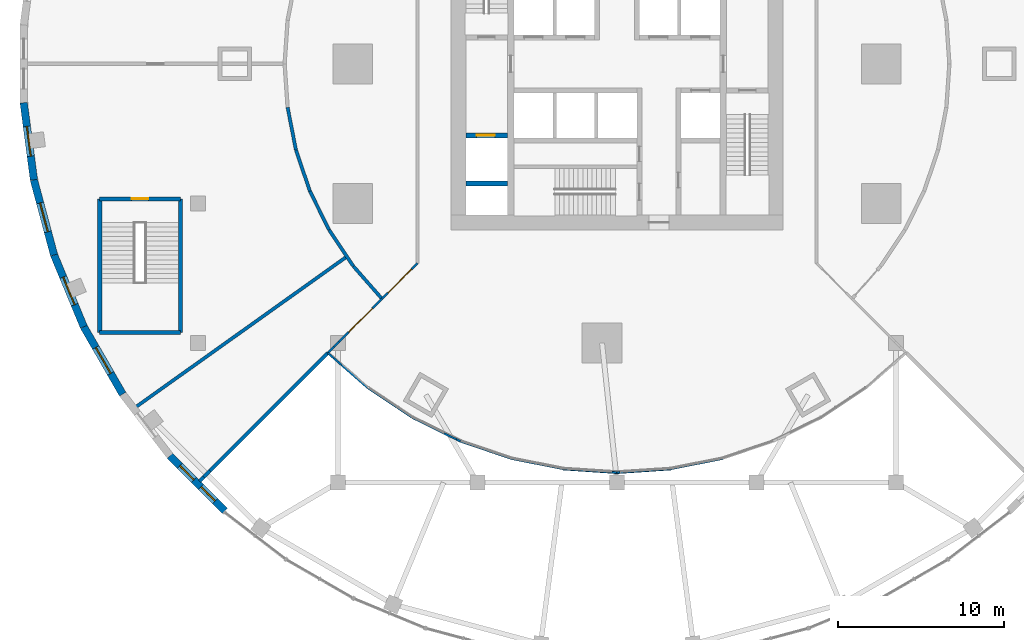
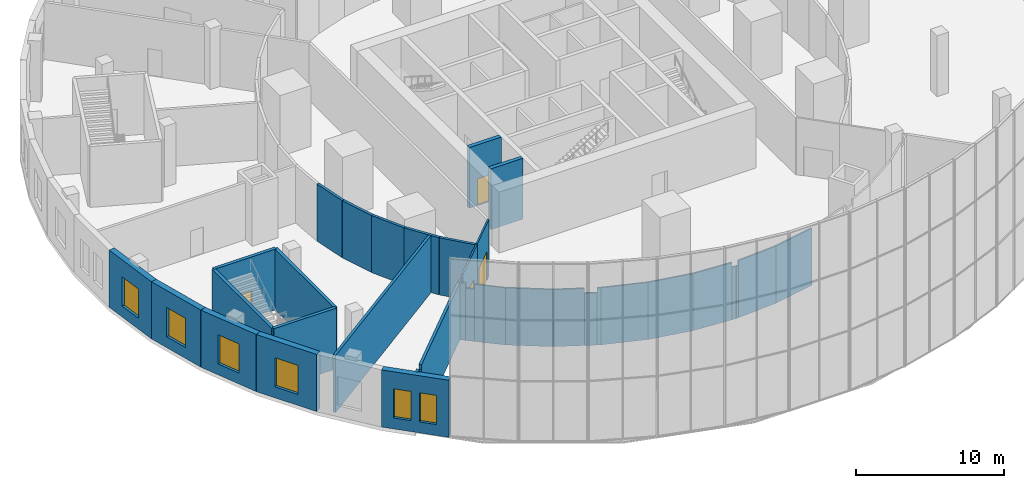
# One storey, part 7 of 17: 38 walls, 6 windows, 4 doors, 10 openings.
"""IFC4 building model written with IfcOpenShell, lengths in metres."""

from ifc_helpers import new_model, si_unit, direction, frame, frame_2d, origin, place, context, subcontext, project, spatial, rectangle, extrude, material, layer, layer_set, type_object, element, fill, save


model = new_model("IFC4")

# Units and contexts
model_context = context("Model", 3, precision=1e-05, world=origin(), true_north=direction((0.0, 1.0)))
body_context = subcontext(model_context, "Body", "Model", "MODEL_VIEW")
ifc_project = project(units=[si_unit("LENGTHUNIT", "METRE"), si_unit("AREAUNIT", "SQUARE_METRE"), si_unit("VOLUMEUNIT", "CUBIC_METRE"), si_unit("PLANEANGLEUNIT", "RADIAN"), si_unit("MASSUNIT", "GRAM", prefix="KILO")], contexts=[model_context])

# Site, building, storey
site_placement = place(None, origin())
site = spatial("IfcSite", under=ifc_project, at=site_placement, CompositionType="ELEMENT")
building_placement = place(site_placement, origin())
building = spatial("IfcBuilding", under=site, at=building_placement, Name="Golbaran Civic Tower", CompositionType="ELEMENT")
storey_placement = place(building_placement, frame((0.0, 0.0, 6.0)))
storey = spatial("IfcBuildingStorey", under=building, at=storey_placement, Name="L01", CompositionType="ELEMENT", Elevation=6.0)

# Walls
ifc_material_1 = material(Name="Glazed screen on steel framing", Category="steel")
ifc_layer_1 = layer(ifc_material_1, 0.1201171875, Name="Glazed screen on steel framing")
ifc_layer_set_1 = layer_set([ifc_layer_1], Name="Glazed screen on steel framing")
wall_type_1 = type_object("IfcWallType", Name="GLAZED SCREEN PARTITION 120", PredefinedType="PARTITIONING", material=ifc_layer_set_1)
wall_1_placement = place(storey_placement, frame((-16.570068359375, -18.127197265625, 0.0), z_axis=(0.0, 0.0, 1.0), x_axis=(0.752226011438, -0.658905173538, 0.0)))
element("IfcWall", 1, at=wall_1_placement, inside=storey, type_object=wall_type_1, Name="Podium partition L01", PredefinedType="PARTITIONING", context=body_context, shape_type="SweptSolid", body=[
    extrude(rectangle(XDim=2.11376953125, YDim=0.1201171875, at=frame_2d((1.056884765625, 0.0))), origin(), (0.0, 0.0, 1.0), 4.699951171875),
])
wall_2_placement = place(storey_placement, frame((-17.030029296875, -17.72412109375, 0.0), z_axis=(0.0, 0.0, 1.0), x_axis=(0.752081905539, -0.65906965289, 0.0)))
element("IfcWall", 2, at=wall_2_placement, inside=storey, type_object=wall_type_1, Name="Podium partition L01 under the beam over", PredefinedType="PARTITIONING", context=body_context, shape_type="SweptSolid", body=[
    extrude(rectangle(XDim=0.611572265625, YDim=0.1201171875, at=frame_2d((0.3056640625, 0.0))), origin(), (0.0, 0.0, 1.0), 4.300048828125),
])
wall_3_placement = place(storey_placement, frame((-17.39990234375, -17.39990234375, 0.0), z_axis=(0.0, 0.0, 1.0), x_axis=(0.751992181934, -0.659172024824, 0.0)))
element("IfcWall", 3, at=wall_3_placement, inside=storey, type_object=wall_type_1, Name="Podium partition L01 under the beam over", PredefinedType="PARTITIONING", context=body_context, shape_type="SweptSolid", body=[
    extrude(rectangle(XDim=0.491943359375, YDim=0.1201171875, at=frame_2d((0.24609375, 0.0))), origin(), (0.0, 0.0, 1.0), 4.699951171875),
])

# Wall, opening, door
wall_4_placement = place(storey_placement, frame((-16.719970703125, -16.719970703125, 0.0), z_axis=(0.0, 0.0, 1.0), x_axis=(0.707106781187, 0.707106781187, 0.0)))
wall_4 = element("IfcWall", 4, at=wall_4_placement, inside=storey, type_object=wall_type_1, Name="Podium partition L01", PredefinedType="PARTITIONING", context=body_context, shape_type="SweptSolid", body=[
    extrude(rectangle(XDim=3.648681640625, YDim=0.1201171875, at=frame_2d((1.82421875, 0.0))), origin(), (0.0, 0.0, 1.0), 4.699951171875),
])
opening_1_placement = place(wall_4_placement, frame((0.82421875, 0.0, 0.0)))
opening_1 = element("IfcOpeningElement", 5, at=opening_1_placement, cuts=wall_4, Name="Opening L01.03", PredefinedType="OPENING", context=body_context, shape_type="SweptSolid", body=[
    extrude(rectangle(XDim=2.0, YDim=2.39990234375, at=frame_2d((1.0, 1.199951171875))), frame((0.0, 0.070068359375, 0.0), z_axis=(0.0, -1.0, 0.0), x_axis=(1.0, 0.0, 0.0)), (0.0, 0.0, 1.0), 0.14013671875),
])
ifc_material_2 = material(Name="Timber door set in steel frame", Category="steel")
door_type_1 = type_object("IfcDoorType", Name="PUBLIC DOUBLE DOOR 2000x2400", OperationType="DOUBLE_DOOR_SINGLE_SWING", PredefinedType="DOOR", material=ifc_material_2)
door_1_placement = place(opening_1_placement, origin())
door_1 = element("IfcDoor", 6, at=door_1_placement, inside=storey, type_object=door_type_1, Name="Committee Clerks' Office 2 door", OperationType="DOUBLE_DOOR_SINGLE_SWING", OverallHeight=2.39990234375, OverallWidth=2.0, PredefinedType="DOOR", context=body_context, shape_type="SweptSolid", body=[
    extrude(rectangle(XDim=2.0, YDim=2.39990234375, at=frame_2d((1.0, 1.199951171875))), frame((0.0, 0.02490234375, 0.0), z_axis=(0.0, -1.0, 0.0), x_axis=(1.0, 0.0, 0.0)), (0.0, 0.0, 1.0), 0.050048828125),
])
fill(opening_1, door_1)

# Walls
wall_5_placement = place(storey_placement, frame((-17.39990234375, -17.39990234375, 0.0), z_axis=(0.0, 0.0, 1.0), x_axis=(0.707106781187, 0.707106781187, 0.0)))
element("IfcWall", 7, at=wall_5_placement, inside=storey, type_object=wall_type_1, Name="Podium partition L01 under the beam over", PredefinedType="PARTITIONING", context=body_context, shape_type="SweptSolid", body=[
    extrude(rectangle(XDim=0.523193359375, YDim=0.1201171875, at=frame_2d((0.26171875, 0.0))), origin(), (0.0, 0.0, 1.0), 4.699951171875),
])
wall_6_placement = place(storey_placement, frame((-17.030029296875, -17.030029296875, 0.0), z_axis=(0.0, 0.0, 1.0), x_axis=(0.707106781187, 0.707106781187, 0.0)))
element("IfcWall", 8, at=wall_6_placement, inside=storey, type_object=wall_type_1, Name="Podium partition L01 under the beam over", PredefinedType="PARTITIONING", context=body_context, shape_type="SweptSolid", body=[
    extrude(rectangle(XDim=0.4384765625, YDim=0.1201171875, at=frame_2d((0.21923828125, 0.0))), origin(), (0.0, 0.0, 1.0), 4.300048828125),
])
wall_7_placement = place(storey_placement, frame((-14.97998046875, -19.52001953125, 0.0), z_axis=(0.0, 0.0, 1.0), x_axis=(0.832994734858, -0.553280915719, 0.0)))
element("IfcWall", 9, at=wall_7_placement, inside=storey, type_object=wall_type_1, Name="Podium partition L01", PredefinedType="PARTITIONING", context=body_context, shape_type="SweptSolid", body=[
    extrude(rectangle(XDim=3.21728515625, YDim=0.1201171875, at=frame_2d((1.608642578125, 0.0))), origin(), (0.0, 0.0, 1.0), 4.699951171875),
])

# Wall, opening, door
wall_8_placement = place(storey_placement, frame((-14.139892578125, -14.139892578125, 0.0), z_axis=(0.0, 0.0, 1.0), x_axis=(0.707106781187, 0.707106781187, 0.0)))
wall_8 = element("IfcWall", 10, at=wall_8_placement, inside=storey, type_object=wall_type_1, Name="Podium partition L01", PredefinedType="PARTITIONING", context=body_context, shape_type="SweptSolid", body=[
    extrude(rectangle(XDim=3.0263671875, YDim=0.1201171875, at=frame_2d((1.51318359375, 0.0))), origin(), (0.0, 0.0, 1.0), 4.699951171875),
])
opening_2_placement = place(wall_8_placement, frame((0.51318359375, 0.0, 0.0)))
opening_2 = element("IfcOpeningElement", 11, at=opening_2_placement, cuts=wall_8, Name="Opening L01.04", PredefinedType="OPENING", context=body_context, shape_type="SweptSolid", body=[
    extrude(rectangle(XDim=2.0, YDim=2.39990234375, at=frame_2d((1.0, 1.199951171875))), frame((0.0, 0.070068359375, 0.0), z_axis=(0.0, -1.0, 0.0), x_axis=(1.0, 0.0, 0.0)), (0.0, 0.0, 1.0), 0.14013671875),
])
door_2_placement = place(opening_2_placement, origin())
door_2 = element("IfcDoor", 12, at=door_2_placement, inside=storey, type_object=door_type_1, Name="Committee Secretariat Office door", OperationType="DOUBLE_DOOR_SINGLE_SWING", OverallHeight=2.39990234375, OverallWidth=2.0, PredefinedType="DOOR", context=body_context, shape_type="SweptSolid", body=[
    extrude(rectangle(XDim=2.0, YDim=2.39990234375, at=frame_2d((1.0, 1.199951171875))), frame((0.0, 0.02490234375, 0.0), z_axis=(0.0, -1.0, 0.0), x_axis=(1.0, 0.0, 0.0)), (0.0, 0.0, 1.0), 0.050048828125),
])
fill(opening_2, door_2)

# Walls
wall_9_placement = place(storey_placement, frame((-12.300048828125, -21.300048828125, 0.0), z_axis=(0.0, 0.0, 1.0), x_axis=(0.896913641042, -0.442205744551, 0.0)))
element("IfcWall", 13, at=wall_9_placement, inside=storey, type_object=wall_type_1, Name="Podium partition L01", PredefinedType="PARTITIONING", context=body_context, shape_type="SweptSolid", body=[
    extrude(rectangle(XDim=2.109130859375, YDim=0.1201171875, at=frame_2d((1.0546875, 0.0))), origin(), (0.0, 0.0, 1.0), 4.699951171875),
])
wall_10_placement = place(storey_placement, frame((-10.408447265625, -22.232666015625, 0.0), z_axis=(0.0, 0.0, 1.0), x_axis=(0.896921584296, -0.442189633103, 0.0)))
element("IfcWall", 14, at=wall_10_placement, inside=storey, type_object=wall_type_1, Name="Podium partition L01 under the beam over", PredefinedType="PARTITIONING", context=body_context, shape_type="SweptSolid", body=[
    extrude(rectangle(XDim=0.8369140625, YDim=0.1201171875, at=frame_2d((0.41845703125, 0.0))), origin(), (0.0, 0.0, 1.0), 4.300048828125),
])
wall_11_placement = place(storey_placement, frame((-9.65771484375, -22.602783203125, 0.0), z_axis=(0.0, 0.0, 1.0), x_axis=(0.896990941369, -0.442048923878, 0.0)))
element("IfcWall", 15, at=wall_11_placement, inside=storey, type_object=wall_type_1, Name="Podium partition L01 under the beam over", PredefinedType="PARTITIONING", context=body_context, shape_type="SweptSolid", body=[
    extrude(rectangle(XDim=0.26513671875, YDim=0.1201171875, at=frame_2d((0.132568359375, 0.0))), origin(), (0.0, 0.0, 1.0), 4.699951171875),
])
wall_12_placement = place(storey_placement, frame((-9.419921875, -22.719970703125, 0.0), z_axis=(0.0, 0.0, 1.0), x_axis=(0.946800830057, -0.321820117773, 0.0)))
element("IfcWall", 16, at=wall_12_placement, inside=storey, type_object=wall_type_1, Name="Podium partition L01", PredefinedType="PARTITIONING", context=body_context, shape_type="SweptSolid", body=[
    extrude(rectangle(XDim=3.231689453125, YDim=0.1201171875, at=frame_2d((1.61572265625, 0.0))), origin(), (0.0, 0.0, 1.0), 4.699951171875),
])
wall_13_placement = place(storey_placement, frame((-6.360107421875, -23.760009765625, 0.0), z_axis=(0.0, 0.0, 1.0), x_axis=(0.98106754531, -0.193665876033, 0.0)))
element("IfcWall", 17, at=wall_13_placement, inside=storey, type_object=wall_type_1, Name="Podium partition L01", PredefinedType="PARTITIONING", context=body_context, shape_type="SweptSolid", body=[
    extrude(rectangle(XDim=3.20068359375, YDim=0.1201171875, at=frame_2d((1.600341796875, 0.0))), origin(), (0.0, 0.0, 1.0), 4.699951171875),
])
wall_14_placement = place(storey_placement, frame((-3.219970703125, -24.3798828125, 0.0), z_axis=(0.0, 0.0, 1.0), x_axis=(0.997672751552, -0.068184168332, 0.0)))
element("IfcWall", 18, at=wall_14_placement, inside=storey, type_object=wall_type_1, Name="Podium partition L01", PredefinedType="PARTITIONING", context=body_context, shape_type="SweptSolid", body=[
    extrude(rectangle(XDim=2.928955078125, YDim=0.1201171875, at=frame_2d((1.46435546875, 0.0))), origin(), (0.0, 0.0, 1.0), 4.699951171875),
])
wall_15_placement = place(storey_placement, frame((-0.2978515625, -24.57958984375, 0.0), z_axis=(0.0, 0.0, 1.0), x_axis=(0.997638063988, -0.068689833914, 0.0)))
element("IfcWall", 19, at=wall_15_placement, inside=storey, type_object=wall_type_1, Name="Podium partition L01 under the beam over", PredefinedType="PARTITIONING", context=body_context, shape_type="SweptSolid", body=[
    extrude(rectangle(XDim=0.298583984375, YDim=0.1201171875, at=frame_2d((0.1494140625, 0.0))), origin(), (0.0, 0.0, 1.0), 4.300048828125),
])
wall_16_placement = place(storey_placement, frame((0.165771484375, -24.588623046875, 0.0), z_axis=(0.0, 0.0, 1.0), x_axis=(0.997672608774, 0.068186257434, 0.0)))
element("IfcWall", 20, at=wall_16_placement, inside=storey, type_object=wall_type_1, Name="Podium partition L01", PredefinedType="PARTITIONING", context=body_context, shape_type="SweptSolid", body=[
    extrude(rectangle(XDim=3.061279296875, YDim=0.1201171875, at=frame_2d((1.53076171875, 0.0))), origin(), (0.0, 0.0, 1.0), 4.699951171875),
])
wall_17_placement = place(storey_placement, frame((0.0, -24.60009765625, 0.0), z_axis=(0.0, 0.0, 1.0), x_axis=(0.997612909128, 0.069054207259, 0.0)))
element("IfcWall", 21, at=wall_17_placement, inside=storey, type_object=wall_type_1, Name="Podium partition L01 under the beam over", PredefinedType="PARTITIONING", context=body_context, shape_type="SweptSolid", body=[
    extrude(rectangle(XDim=0.166259765625, YDim=0.1201171875, at=frame_2d((0.0830078125, 0.0))), origin(), (0.0, 0.0, 1.0), 4.300048828125),
])
wall_18_placement = place(storey_placement, frame((3.219970703125, -24.3798828125, 0.0), z_axis=(0.0, 0.0, 1.0), x_axis=(0.98106754531, 0.193665876033, 0.0)))
element("IfcWall", 22, at=wall_18_placement, inside=storey, type_object=wall_type_1, Name="Podium partition L01", PredefinedType="PARTITIONING", context=body_context, shape_type="SweptSolid", body=[
    extrude(rectangle(XDim=3.20068359375, YDim=0.1201171875, at=frame_2d((1.600341796875, 0.0))), origin(), (0.0, 0.0, 1.0), 4.699951171875),
])
ifc_material_3 = material(Name="Concrete block, plastered", Category="concrete")
ifc_layer_2 = layer(ifc_material_3, 0.199951171875, Name="Concrete block, plastered")
ifc_layer_set_2 = layer_set([ifc_layer_2], Name="Concrete block, plastered")
wall_type_2 = type_object("IfcWallType", Name="PODIUM PARTITION 200", PredefinedType="PARTITIONING", material=ifc_layer_set_2)
wall_19_placement = place(storey_placement, frame((-28.93994140625, -20.639892578125, 0.0), z_axis=(0.0, 0.0, 1.0), x_axis=(0.814258557322, 0.580502370217, 0.0)))
element("IfcWall", 23, at=wall_19_placement, inside=storey, type_object=wall_type_2, Name="Podium partition L01", PredefinedType="PARTITIONING", context=body_context, shape_type="SweptSolid", body=[
    extrude(rectangle(XDim=15.572265625, YDim=0.199951171875, at=frame_2d((7.7861328125, 0.0))), origin(), (0.0, 0.0, 1.0), 4.699951171875),
])
wall_20_placement = place(storey_placement, frame((-24.486328125, -24.486328125, 0.0), z_axis=(0.0, 0.0, 1.0), x_axis=(0.707106781187, 0.707106781187, 0.0)))
element("IfcWall", 24, at=wall_20_placement, inside=storey, type_object=wall_type_2, Name="Podium partition L01", PredefinedType="PARTITIONING", context=body_context, shape_type="SweptSolid", body=[
    extrude(rectangle(XDim=10.021728515625, YDim=0.199951171875, at=frame_2d((5.0107421875, 0.0))), origin(), (0.0, 0.0, 1.0), 4.699951171875),
])
wall_21_placement = place(storey_placement, frame((-24.8681640625, -24.8681640625, 0.0), z_axis=(0.0, 0.0, 1.0), x_axis=(0.707106781187, 0.707106781187, 0.0)))
element("IfcWall", 25, at=wall_21_placement, inside=storey, type_object=wall_type_2, Name="Podium partition L01 under the beam over", PredefinedType="PARTITIONING", context=body_context, shape_type="SweptSolid", body=[
    extrude(rectangle(XDim=0.5400390625, YDim=0.199951171875, at=frame_2d((0.27001953125, 0.0))), origin(), (0.0, 0.0, 1.0), 4.300048828125),
])
wall_22_placement = place(storey_placement, frame((-25.1201171875, -25.1201171875, 0.0), z_axis=(0.0, 0.0, 1.0), x_axis=(0.707106781187, 0.707106781187, 0.0)))
element("IfcWall", 26, at=wall_22_placement, inside=storey, type_object=wall_type_2, Name="Podium partition L01 under the beam over", PredefinedType="PARTITIONING", context=body_context, shape_type="SweptSolid", body=[
    extrude(rectangle(XDim=0.356201171875, YDim=0.199951171875, at=frame_2d((0.17822265625, 0.0))), origin(), (0.0, 0.0, 1.0), 4.699951171875),
])
wall_23_placement = place(storey_placement, frame((-19.820068359375, -2.6201171875, 0.0), z_axis=(0.0, 0.0, 1.0), x_axis=(0.191703896297, -0.981452808924, 0.0)))
element("IfcWall", 27, at=wall_23_placement, inside=storey, type_object=wall_type_2, Name="Podium partition L01", PredefinedType="PARTITIONING", context=body_context, shape_type="SweptSolid", body=[
    extrude(rectangle(XDim=2.608154296875, YDim=0.199951171875, at=frame_2d((1.30419921875, 0.0))), origin(), (0.0, 0.0, 1.0), 4.699951171875),
])
wall_24_placement = place(storey_placement, frame((-19.320068359375, -5.179931640625, 0.0), z_axis=(0.0, 0.0, 1.0), x_axis=(0.320839411875, -0.947133608203, 0.0)))
element("IfcWall", 28, at=wall_24_placement, inside=storey, type_object=wall_type_2, Name="Podium partition L01", PredefinedType="PARTITIONING", context=body_context, shape_type="SweptSolid", body=[
    extrude(rectangle(XDim=2.618408203125, YDim=0.199951171875, at=frame_2d((1.30908203125, 0.0))), origin(), (0.0, 0.0, 1.0), 4.699951171875),
])
wall_25_placement = place(storey_placement, frame((-18.47998046875, -7.659912109375, 0.0), z_axis=(0.0, 0.0, 1.0), x_axis=(0.444107479291, -0.895973519049, 0.0)))
element("IfcWall", 29, at=wall_25_placement, inside=storey, type_object=wall_type_2, Name="Podium partition L01", PredefinedType="PARTITIONING", context=body_context, shape_type="SweptSolid", body=[
    extrude(rectangle(XDim=2.61181640625, YDim=0.199951171875, at=frame_2d((1.305908203125, 0.0))), origin(), (0.0, 0.0, 1.0), 4.699951171875),
])
wall_26_placement = place(storey_placement, frame((-17.320068359375, -10.0, 0.0), z_axis=(0.0, 0.0, 1.0), x_axis=(0.556459812229, -0.83087452565, 0.0)))
element("IfcWall", 30, at=wall_26_placement, inside=storey, type_object=wall_type_2, Name="Podium partition L01", PredefinedType="PARTITIONING", context=body_context, shape_type="SweptSolid", body=[
    extrude(rectangle(XDim=2.623779296875, YDim=0.199951171875, at=frame_2d((1.31201171875, 0.0))), origin(), (0.0, 0.0, 1.0), 4.699951171875),
])
wall_27_placement = place(storey_placement, frame((-15.860107421875, -12.179931640625, 0.0), z_axis=(0.0, 0.0, 1.0), x_axis=(0.659643857667, -0.751578326618, 0.0)))
element("IfcWall", 31, at=wall_27_placement, inside=storey, type_object=wall_type_2, Name="Podium partition L01", PredefinedType="PARTITIONING", context=body_context, shape_type="SweptSolid", body=[
    extrude(rectangle(XDim=2.60791015625, YDim=0.199951171875, at=frame_2d((1.303955078125, 0.0))), origin(), (0.0, 0.0, 1.0), 4.699951171875),
])

# Wall, opening, door
ifc_material_4 = material(Name="Concrete C50/60", Category="concrete")
ifc_layer_3 = layer(ifc_material_4, 0.300048828125, Name="Concrete C50/60")
ifc_layer_set_3 = layer_set([ifc_layer_3], Name="Concrete C50/60")
wall_type_3 = type_object("IfcWallType", Name="SHAFT WALL CONCRETE 300", PredefinedType="SOLIDWALL", material=ifc_layer_set_3)
wall_28_placement = place(storey_placement, frame((-9.10009765625, -4.300048828125, 0.0), z_axis=(0.0, 0.0, 1.0), x_axis=(1.0, 0.0, 0.0)))
wall_28 = element("IfcWall", 32, at=wall_28_placement, inside=storey, type_object=wall_type_3, Name="Core wall XW2 L01", PredefinedType="SOLIDWALL", context=body_context, shape_type="SweptSolid", body=[
    extrude(rectangle(XDim=2.5, YDim=0.300048828125, at=frame_2d((1.25, 0.0))), origin(), (0.0, 0.0, 1.0), 5.0),
])
opening_3_placement = place(wall_28_placement, frame((0.64990234375, 0.0, 0.0)))
opening_3 = element("IfcOpeningElement", 33, at=opening_3_placement, cuts=wall_28, Name="Opening L01.LD-F1", PredefinedType="OPENING", context=body_context, shape_type="SweptSolid", body=[
    extrude(rectangle(XDim=1.10009765625, YDim=2.199951171875, at=frame_2d((0.550048828125, 1.10009765625))), frame((0.0, 0.159912109375, 0.0), z_axis=(0.0, -1.0, 0.0), x_axis=(1.0, 0.0, 0.0)), (0.0, 0.0, 1.0), 0.320068359375),
])
ifc_material_5 = material(Name="Stainless steel", Category="steel")
door_type_2 = type_object("IfcDoorType", Name="LIFT LANDING DOOR 1100x2200", OperationType="SLIDING_TO_LEFT", PredefinedType="DOOR", material=ifc_material_5)
door_3_placement = place(opening_3_placement, origin())
door_3 = element("IfcDoor", 34, at=door_3_placement, inside=storey, type_object=door_type_2, Name="Lift landing door F1", OperationType="SLIDING_TO_LEFT", OverallHeight=2.199951171875, OverallWidth=1.10009765625, PredefinedType="DOOR", context=body_context, shape_type="SweptSolid", body=[
    extrude(rectangle(XDim=1.10009765625, YDim=2.199951171875, at=frame_2d((0.550048828125, 1.10009765625))), frame((0.0, 0.02490234375, 0.0), z_axis=(0.0, -1.0, 0.0), x_axis=(1.0, 0.0, 0.0)), (0.0, 0.0, 1.0), 0.050048828125),
])
fill(opening_3, door_3)

# Wall
wall_29_placement = place(storey_placement, frame((-9.10009765625, -7.199951171875, 0.0), z_axis=(0.0, 0.0, 1.0), x_axis=(1.0, 0.0, 0.0)))
element("IfcWall", 35, at=wall_29_placement, inside=storey, type_object=wall_type_3, Name="Core wall XW3 L01", PredefinedType="SOLIDWALL", context=body_context, shape_type="SweptSolid", body=[
    extrude(rectangle(XDim=2.5, YDim=0.300048828125, at=frame_2d((1.25, 0.0))), origin(), (0.0, 0.0, 1.0), 5.0),
])

# Wall, opening, door
ifc_layer_4 = layer(ifc_material_4, 0.25, Name="Concrete C50/60")
ifc_layer_set_4 = layer_set([ifc_layer_4], Name="Concrete C50/60")
wall_type_4 = type_object("IfcWallType", Name="STAIR ENCLOSURE WALL CONCRETE 250", PredefinedType="SOLIDWALL", material=ifc_layer_set_4)
wall_30_placement = place(storey_placement, frame((-31.125, -8.125, 0.0), z_axis=(0.0, 0.0, 1.0), x_axis=(1.0, 0.0, 0.0)))
wall_30 = element("IfcWall", 36, at=wall_30_placement, inside=storey, type_object=wall_type_4, Name="Stair P3 enclosure A L01", PredefinedType="SOLIDWALL", context=body_context, shape_type="SweptSolid", body=[
    extrude(rectangle(XDim=4.85009765625, YDim=0.25, at=frame_2d((2.425048828125, 0.0))), origin(), (0.0, 0.0, 1.0), 5.0),
])
opening_4_placement = place(wall_30_placement, frame((1.925048828125, 0.0, 0.0)))
opening_4 = element("IfcOpeningElement", 37, at=opening_4_placement, cuts=wall_30, Name="Opening L01.P3", PredefinedType="OPENING", context=body_context, shape_type="SweptSolid", body=[
    extrude(rectangle(XDim=1.0, YDim=2.199951171875, at=frame_2d((0.5, 1.10009765625))), frame((0.0, 0.135009765625, 0.0), z_axis=(0.0, -1.0, 0.0), x_axis=(1.0, 0.0, 0.0)), (0.0, 0.0, 1.0), 0.27001953125),
])
door_type_3 = type_object("IfcDoorType", Name="STAIR DOOR 1000x2200", OperationType="SINGLE_SWING_LEFT", PredefinedType="DOOR", material=ifc_material_2)
door_4_placement = place(opening_4_placement, origin())
door_4 = element("IfcDoor", 38, at=door_4_placement, inside=storey, type_object=door_type_3, Name="Stair P3 door", OperationType="SINGLE_SWING_LEFT", OverallHeight=2.199951171875, OverallWidth=1.0, PredefinedType="DOOR", context=body_context, shape_type="SweptSolid", body=[
    extrude(rectangle(XDim=1.0, YDim=2.199951171875, at=frame_2d((0.5, 1.10009765625))), frame((0.0, 0.02490234375, 0.0), z_axis=(0.0, -1.0, 0.0), x_axis=(1.0, 0.0, 0.0)), (0.0, 0.0, 1.0), 0.050048828125),
])
fill(opening_4, door_4)

# Walls
wall_31_placement = place(storey_placement, frame((-26.27490234375, -8.125, 0.0), z_axis=(0.0, 0.0, 1.0), x_axis=(0.0, -1.0, 0.0)))
element("IfcWall", 39, at=wall_31_placement, inside=storey, type_object=wall_type_4, Name="Stair P3 enclosure B L01", PredefinedType="SOLIDWALL", context=body_context, shape_type="SweptSolid", body=[
    extrude(rectangle(XDim=8.050048828125, YDim=0.25, at=frame_2d((4.02490234375, 0.0))), origin(), (0.0, 0.0, 1.0), 5.0),
])
wall_32_placement = place(storey_placement, frame((-26.27490234375, -16.175048828125, 0.0), z_axis=(0.0, 0.0, 1.0), x_axis=(-1.0, 0.0, 0.0)))
element("IfcWall", 40, at=wall_32_placement, inside=storey, type_object=wall_type_4, Name="Stair P3 enclosure C L01", PredefinedType="SOLIDWALL", context=body_context, shape_type="SweptSolid", body=[
    extrude(rectangle(XDim=4.85009765625, YDim=0.25, at=frame_2d((2.425048828125, 0.0))), origin(), (0.0, 0.0, 1.0), 5.0),
])
wall_33_placement = place(storey_placement, frame((-31.125, -16.175048828125, 0.0), z_axis=(0.0, 0.0, 1.0), x_axis=(0.0, 1.0, 0.0)))
element("IfcWall", 41, at=wall_33_placement, inside=storey, type_object=wall_type_4, Name="Stair P3 enclosure D L01", PredefinedType="SOLIDWALL", context=body_context, shape_type="SweptSolid", body=[
    extrude(rectangle(XDim=8.050048828125, YDim=0.25, at=frame_2d((4.02490234375, 0.0))), origin(), (0.0, 0.0, 1.0), 5.0),
])

# Wall, opening, window
ifc_material_6 = material(Name="Terracotta brick", Category="masonry")
ifc_layer_5 = layer(ifc_material_6, 0.449951171875, Name="Terracotta brick")
ifc_layer_set_5 = layer_set([ifc_layer_5], Name="Terracotta brick")
wall_type_5 = type_object("IfcWallType", Name="TERRACOTTA BRICK FACADE WALL 450", PredefinedType="SOLIDWALL", material=ifc_layer_set_5)
wall_34_placement = place(storey_placement, frame((-35.698486328125, -2.33984375, 0.0), z_axis=(0.0, 0.0, 1.0), x_axis=(0.130536838198, -0.991443459746, 0.0)))
wall_34 = element("IfcWall", 42, at=wall_34_placement, inside=storey, type_object=wall_type_5, Name="Podium wall L01 facet 25", PredefinedType="SOLIDWALL", context=body_context, shape_type="SweptSolid", body=[
    extrude(rectangle(XDim=4.679443359375, YDim=0.449951171875, at=frame_2d((2.33984375, 0.0))), origin(), (0.0, 0.0, 1.0), 4.699951171875),
])
opening_5_placement = place(wall_34_placement, frame((1.439697265625, 0.0, 0.89990234375)))
opening_5 = element("IfcOpeningElement", 43, at=opening_5_placement, cuts=wall_34, Name="Opening L01.W31", PredefinedType="OPENING", context=body_context, shape_type="SweptSolid", body=[
    extrude(rectangle(XDim=1.800048828125, YDim=2.39990234375, at=frame_2d((0.89990234375, 1.199951171875))), frame((0.0, 0.23486328125, 0.0), z_axis=(0.0, -1.0, 0.0), x_axis=(1.0, 0.0, 0.0)), (0.0, 0.0, 1.0), 0.469970703125),
])
ifc_material_7 = material(Name="Aluminium frame, clear glass", Category="aluminium")
window_type_1 = type_object("IfcWindowType", Name="PODIUM WINDOW 1800x2400", PartitioningType="SINGLE_PANEL", PredefinedType="WINDOW", material=ifc_material_7)
window_1_placement = place(opening_5_placement, origin())
window_1 = element("IfcWindow", 44, at=window_1_placement, inside=storey, type_object=window_type_1, Name="Podium window L01 facet 25", OverallHeight=2.39990234375, OverallWidth=1.800048828125, PartitioningType="SINGLE_PANEL", PredefinedType="WINDOW", context=body_context, shape_type="SweptSolid", body=[
    extrude(rectangle(XDim=1.800048828125, YDim=2.39990234375, at=frame_2d((0.89990234375, 1.199951171875))), frame((0.0, 0.030029296875, 0.0), z_axis=(0.0, -1.0, 0.0), x_axis=(1.0, 0.0, 0.0)), (0.0, 0.0, 1.0), 0.06005859375),
])
fill(opening_5, window_1)

wall_35_placement = place(storey_placement, frame((-35.087646484375, -6.979248046875, 0.0), z_axis=(0.0, 0.0, 1.0), x_axis=(0.258815185258, -0.965926860523, 0.0)))
wall_35 = element("IfcWall", 45, at=wall_35_placement, inside=storey, type_object=wall_type_5, Name="Podium wall L01 facet 26", PredefinedType="SOLIDWALL", context=body_context, shape_type="SweptSolid", body=[
    extrude(rectangle(XDim=4.6796875, YDim=0.449951171875, at=frame_2d((2.33984375, 0.0))), origin(), (0.0, 0.0, 1.0), 4.699951171875),
])
opening_6_placement = place(wall_35_placement, frame((1.439697265625, 0.0, 0.89990234375)))
opening_6 = element("IfcOpeningElement", 46, at=opening_6_placement, cuts=wall_35, Name="Opening L01.W32", PredefinedType="OPENING", context=body_context, shape_type="SweptSolid", body=[
    extrude(rectangle(XDim=1.800048828125, YDim=2.39990234375, at=frame_2d((0.89990234375, 1.199951171875))), frame((0.0, 0.23486328125, 0.0), z_axis=(0.0, -1.0, 0.0), x_axis=(1.0, 0.0, 0.0)), (0.0, 0.0, 1.0), 0.469970703125),
])
window_2_placement = place(opening_6_placement, origin())
window_2 = element("IfcWindow", 47, at=window_2_placement, inside=storey, type_object=window_type_1, Name="Podium window L01 facet 26", OverallHeight=2.39990234375, OverallWidth=1.800048828125, PartitioningType="SINGLE_PANEL", PredefinedType="WINDOW", context=body_context, shape_type="SweptSolid", body=[
    extrude(rectangle(XDim=1.800048828125, YDim=2.39990234375, at=frame_2d((0.89990234375, 1.199951171875))), frame((0.0, 0.030029296875, 0.0), z_axis=(0.0, -1.0, 0.0), x_axis=(1.0, 0.0, 0.0)), (0.0, 0.0, 1.0), 0.06005859375),
])
fill(opening_6, window_2)

wall_36_placement = place(storey_placement, frame((-33.87646484375, -11.49951171875, 0.0), z_axis=(0.0, 0.0, 1.0), x_axis=(0.382669718086, -0.923885213032, 0.0)))
wall_36 = element("IfcWall", 48, at=wall_36_placement, inside=storey, type_object=wall_type_5, Name="Podium wall L01 facet 27", PredefinedType="SOLIDWALL", context=body_context, shape_type="SweptSolid", body=[
    extrude(rectangle(XDim=4.6796875, YDim=0.449951171875, at=frame_2d((2.33984375, 0.0))), origin(), (0.0, 0.0, 1.0), 4.699951171875),
])
opening_7_placement = place(wall_36_placement, frame((1.439697265625, 0.0, 0.89990234375)))
opening_7 = element("IfcOpeningElement", 49, at=opening_7_placement, cuts=wall_36, Name="Opening L01.W33", PredefinedType="OPENING", context=body_context, shape_type="SweptSolid", body=[
    extrude(rectangle(XDim=1.800048828125, YDim=2.39990234375, at=frame_2d((0.89990234375, 1.199951171875))), frame((0.0, 0.23486328125, 0.0), z_axis=(0.0, -1.0, 0.0), x_axis=(1.0, 0.0, 0.0)), (0.0, 0.0, 1.0), 0.469970703125),
])
window_3_placement = place(opening_7_placement, origin())
window_3 = element("IfcWindow", 50, at=window_3_placement, inside=storey, type_object=window_type_1, Name="Podium window L01 facet 27", OverallHeight=2.39990234375, OverallWidth=1.800048828125, PartitioningType="SINGLE_PANEL", PredefinedType="WINDOW", context=body_context, shape_type="SweptSolid", body=[
    extrude(rectangle(XDim=1.800048828125, YDim=2.39990234375, at=frame_2d((0.89990234375, 1.199951171875))), frame((0.0, 0.030029296875, 0.0), z_axis=(0.0, -1.0, 0.0), x_axis=(1.0, 0.0, 0.0)), (0.0, 0.0, 1.0), 0.06005859375),
])
fill(opening_7, window_3)

wall_37_placement = place(storey_placement, frame((-32.085693359375, -15.822998046875, 0.0), z_axis=(0.0, 0.0, 1.0), x_axis=(0.500022025083, -0.866012687223, 0.0)))
wall_37 = element("IfcWall", 51, at=wall_37_placement, inside=storey, type_object=wall_type_5, Name="Podium wall L01 facet 28", PredefinedType="SOLIDWALL", context=body_context, shape_type="SweptSolid", body=[
    extrude(rectangle(XDim=4.679443359375, YDim=0.449951171875, at=frame_2d((2.33984375, 0.0))), origin(), (0.0, 0.0, 1.0), 4.699951171875),
])
opening_8_placement = place(wall_37_placement, frame((1.439697265625, 0.0, 0.89990234375)))
opening_8 = element("IfcOpeningElement", 52, at=opening_8_placement, cuts=wall_37, Name="Opening L01.W34", PredefinedType="OPENING", context=body_context, shape_type="SweptSolid", body=[
    extrude(rectangle(XDim=1.800048828125, YDim=2.39990234375, at=frame_2d((0.89990234375, 1.199951171875))), frame((0.0, 0.23486328125, 0.0), z_axis=(0.0, -1.0, 0.0), x_axis=(1.0, 0.0, 0.0)), (0.0, 0.0, 1.0), 0.469970703125),
])
window_4_placement = place(opening_8_placement, origin())
window_4 = element("IfcWindow", 53, at=window_4_placement, inside=storey, type_object=window_type_1, Name="Podium window L01 facet 28", OverallHeight=2.39990234375, OverallWidth=1.800048828125, PartitioningType="SINGLE_PANEL", PredefinedType="WINDOW", context=body_context, shape_type="SweptSolid", body=[
    extrude(rectangle(XDim=1.800048828125, YDim=2.39990234375, at=frame_2d((0.89990234375, 1.199951171875))), frame((0.0, 0.030029296875, 0.0), z_axis=(0.0, -1.0, 0.0), x_axis=(1.0, 0.0, 0.0)), (0.0, 0.0, 1.0), 0.06005859375),
])
fill(opening_8, window_4)

# Wall, openings, windows
wall_38_placement = place(storey_placement, frame((-26.89697265625, -23.588134765625, 0.0), z_axis=(0.0, 0.0, 1.0), x_axis=(0.707106781187, -0.707106781187, 0.0)))
wall_38 = element("IfcWall", 54, at=wall_38_placement, inside=storey, type_object=wall_type_5, Name="Podium wall L01 facet 30", PredefinedType="SOLIDWALL", context=body_context, shape_type="SweptSolid", body=[
    extrude(rectangle(XDim=4.679443359375, YDim=0.449951171875, at=frame_2d((2.33984375, 0.0))), origin(), (0.0, 0.0, 1.0), 4.699951171875),
])
opening_9_placement = place(wall_38_placement, frame((0.840087890625, 0.0, 0.89990234375)))
opening_9 = element("IfcOpeningElement", 55, at=opening_9_placement, cuts=wall_38, Name="Opening L01.W36", PredefinedType="OPENING", context=body_context, shape_type="SweptSolid", body=[
    extrude(rectangle(XDim=1.199951171875, YDim=2.39990234375, at=frame_2d((0.60009765625, 1.199951171875))), frame((0.0, 0.23486328125, 0.0), z_axis=(0.0, -1.0, 0.0), x_axis=(1.0, 0.0, 0.0)), (0.0, 0.0, 1.0), 0.469970703125),
])
opening_10_placement = place(wall_38_placement, frame((2.639892578125, 0.0, 0.89990234375)))
opening_10 = element("IfcOpeningElement", 56, at=opening_10_placement, cuts=wall_38, Name="Opening L01.W37", PredefinedType="OPENING", context=body_context, shape_type="SweptSolid", body=[
    extrude(rectangle(XDim=1.199951171875, YDim=2.39990234375, at=frame_2d((0.60009765625, 1.199951171875))), frame((0.0, 0.23486328125, 0.0), z_axis=(0.0, -1.0, 0.0), x_axis=(1.0, 0.0, 0.0)), (0.0, 0.0, 1.0), 0.469970703125),
])
window_type_2 = type_object("IfcWindowType", Name="PODIUM PAIRED WINDOW 1200x2400", PartitioningType="SINGLE_PANEL", PredefinedType="WINDOW", material=ifc_material_7)
window_5_placement = place(opening_9_placement, origin())
window_5 = element("IfcWindow", 57, at=window_5_placement, inside=storey, type_object=window_type_2, Name="Podium window L01 facet 30a", OverallHeight=2.39990234375, OverallWidth=1.199951171875, PartitioningType="SINGLE_PANEL", PredefinedType="WINDOW", context=body_context, shape_type="SweptSolid", body=[
    extrude(rectangle(XDim=1.199951171875, YDim=2.39990234375, at=frame_2d((0.60009765625, 1.199951171875))), frame((0.0, 0.030029296875, 0.0), z_axis=(0.0, -1.0, 0.0), x_axis=(1.0, 0.0, 0.0)), (0.0, 0.0, 1.0), 0.06005859375),
])
fill(opening_9, window_5)
window_6_placement = place(opening_10_placement, origin())
window_6 = element("IfcWindow", 58, at=window_6_placement, inside=storey, type_object=window_type_2, Name="Podium window L01 facet 30b", OverallHeight=2.39990234375, OverallWidth=1.199951171875, PartitioningType="SINGLE_PANEL", PredefinedType="WINDOW", context=body_context, shape_type="SweptSolid", body=[
    extrude(rectangle(XDim=1.199951171875, YDim=2.39990234375, at=frame_2d((0.60009765625, 1.199951171875))), frame((0.0, 0.030029296875, 0.0), z_axis=(0.0, -1.0, 0.0), x_axis=(1.0, 0.0, 0.0)), (0.0, 0.0, 1.0), 0.06005859375),
])
fill(opening_10, window_6)

save(model, "model.ifc")
